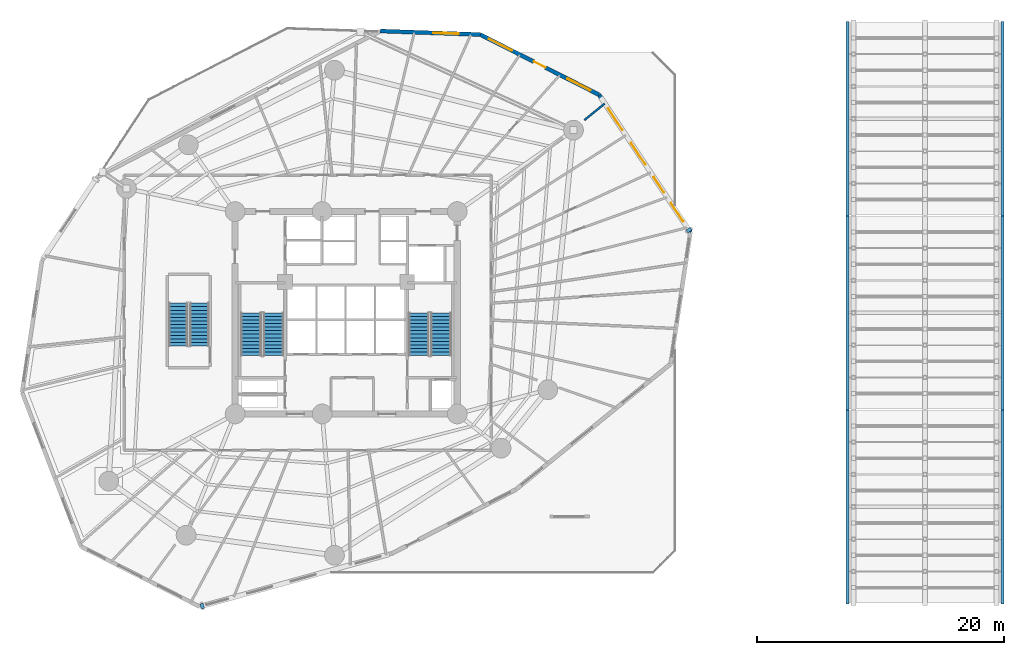
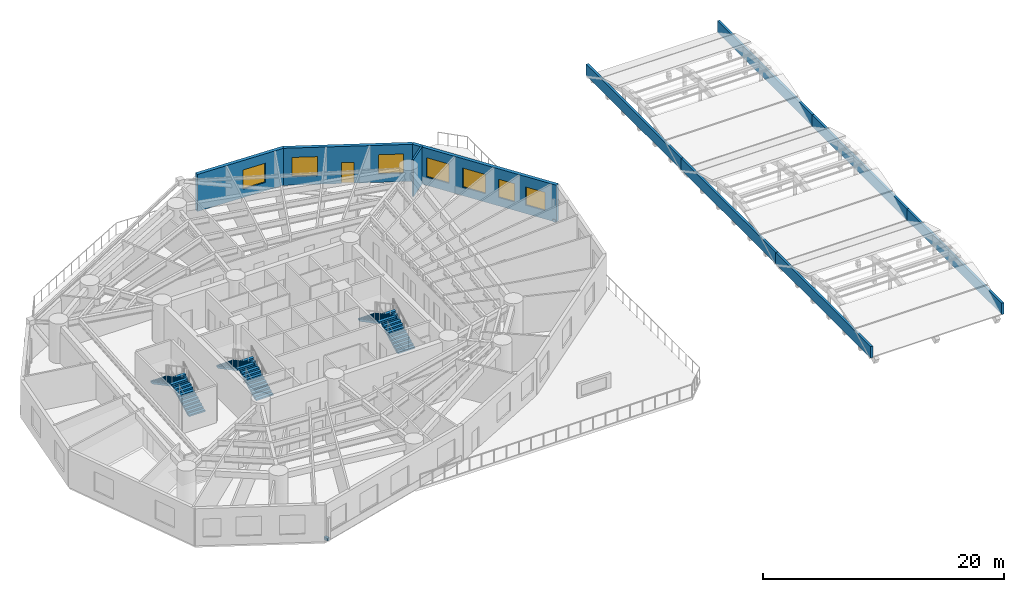
# One storey, part 11 of 16: 10 walls, 7 windows, 6 stair flights, 2 discrete accessories, 1 door, 8 openings, 3 elements without a shape of their own.
"""IFC4 building model written with IfcOpenShell, lengths in metres."""

from ifc_helpers import new_model, si_unit, direction, frame, frame_2d, origin, origin_with_axes, origin_2d, place, context, subcontext, project, spatial, polyline, rectangle, outline, extrude, source, transform, mapped, material, layer, layer_set, type_object, element, fill, aggregate, save


model = new_model("IFC4")

# Units and contexts
model_context = context("Model", 3, precision=1e-05, world=origin(), true_north=direction((0.0, 1.0)))
body_context = subcontext(model_context, "Body", "Model", "MODEL_VIEW")
ifc_project = project(units=[si_unit("LENGTHUNIT", "METRE"), si_unit("AREAUNIT", "SQUARE_METRE"), si_unit("VOLUMEUNIT", "CUBIC_METRE"), si_unit("PLANEANGLEUNIT", "RADIAN"), si_unit("MASSUNIT", "GRAM", prefix="KILO")], contexts=[model_context])

# Site, building, storey
site_placement = place(None, origin())
site = spatial("IfcSite", under=ifc_project, at=site_placement, CompositionType="ELEMENT")
building_placement = place(site_placement, origin())
building = spatial("IfcBuilding", under=site, at=building_placement, Name="Karkom Vertical University and Central Library", CompositionType="ELEMENT")
storey_placement = place(building_placement, frame((0.0, 0.0, 22.5)))
storey = spatial("IfcBuildingStorey", under=building, at=storey_placement, Name="L05", CompositionType="ELEMENT", Elevation=22.5)

# Wall, openings, windows
ifc_material_1 = material(Name="Brick-faced precast concrete C45/55", Category="masonry")
ifc_layer_1 = layer(ifc_material_1, 0.320068359375)
ifc_layer_set_1 = layer_set([ifc_layer_1], Name="Brick-faced precast concrete C45/55")
wall_type_1 = type_object("IfcWallType", Name="ENV-WL-BRK-320", PredefinedType="SOLIDWALL", material=ifc_layer_set_1)
wall_1_placement = place(storey_placement, frame((56.39990234375, 33.01025390625, 0.0), z_axis=(0.0, 0.0, 1.0), x_axis=(-0.553428968968, 0.832896377893, 0.0)))
wall_1 = element("IfcWall", 1, at=wall_1_placement, inside=storey, type_object=wall_type_1, Name="Level 05 Brick-Faced Precast Facade Wall 09", PredefinedType="SOLIDWALL", context=body_context, shape_type="SweptSolid", body=[
    extrude(rectangle(XDim=13.391357421875, YDim=0.320068359375, at=frame_2d((6.69580078125, 0.0))), origin(), (0.0, 0.0, 1.0), 3.75),
])
opening_1_placement = place(wall_1_placement, frame((1.064453125, 0.0, 0.85009765625)))
opening_1 = element("IfcOpeningElement", 2, at=opening_1_placement, cuts=wall_1, Name="Opening WN-04", PredefinedType="OPENING", context=body_context, shape_type="SweptSolid", body=[
    extrude(rectangle(XDim=1.800048828125, YDim=1.85009765625, at=frame_2d((0.89990234375, 0.925048828125))), frame((0.0, 0.169921875, 0.0), z_axis=(0.0, -1.0, 0.0), x_axis=(1.0, 0.0, 0.0)), (0.0, 0.0, 1.0), 0.340087890625),
])
opening_2_placement = place(wall_1_placement, frame((3.88427734375, 0.0, 0.85009765625)))
opening_2 = element("IfcOpeningElement", 3, at=opening_2_placement, cuts=wall_1, Name="Opening WN-05", PredefinedType="OPENING", context=body_context, shape_type="SweptSolid", body=[
    extrude(rectangle(XDim=1.5, YDim=1.85009765625, at=frame_2d((0.75, 0.925048828125))), frame((0.0, 0.169921875, 0.0), z_axis=(0.0, -1.0, 0.0), x_axis=(1.0, 0.0, 0.0)), (0.0, 0.0, 1.0), 0.340087890625),
])
opening_3_placement = place(wall_1_placement, frame((6.591064453125, 0.0, 0.85009765625)))
opening_3 = element("IfcOpeningElement", 4, at=opening_3_placement, cuts=wall_1, Name="Opening WN-03", PredefinedType="OPENING", context=body_context, shape_type="SweptSolid", body=[
    extrude(rectangle(XDim=2.10009765625, YDim=1.949951171875, at=frame_2d((1.050048828125, 0.97509765625))), frame((0.0, 0.169921875, 0.0), z_axis=(0.0, -1.0, 0.0), x_axis=(1.0, 0.0, 0.0)), (0.0, 0.0, 1.0), 0.340087890625),
])
opening_4_placement = place(wall_1_placement, frame((9.944580078125, 0.0, 0.85009765625)))
opening_4 = element("IfcOpeningElement", 5, at=opening_4_placement, cuts=wall_1, Name="Opening WN-03", PredefinedType="OPENING", context=body_context, shape_type="SweptSolid", body=[
    extrude(rectangle(XDim=2.10009765625, YDim=1.949951171875, at=frame_2d((1.050048828125, 0.97509765625))), frame((0.0, 0.169921875, 0.0), z_axis=(0.0, -1.0, 0.0), x_axis=(1.0, 0.0, 0.0)), (0.0, 0.0, 1.0), 0.340087890625),
])
ifc_material_2 = material(Name="Aluminium thermal-break frame with solar-control IGU", Category="aluminium")
window_type_1 = type_object("IfcWindowType", Name="ENV-WIN-WN-03", PartitioningType="SINGLE_PANEL", PredefinedType="WINDOW", material=ifc_material_2)
shared_shape_1 = source(origin_with_axes(), body_context, "Body", "SweptSolid", [
    extrude(rectangle(XDim=2.10009765625, YDim=1.949951171875, at=frame_2d((1.050048828125, 0.97509765625))), frame((0.0, 0.030029296875, 0.0), z_axis=(0.0, -1.0, 0.0), x_axis=(1.0, 0.0, 0.0)), (0.0, 0.0, 1.0), 0.06005859375),
])
window_1_placement = place(opening_3_placement, origin())
window_1 = element("IfcWindow", 6, at=window_1_placement, inside=storey, type_object=window_type_1, Name="Level 05 Punched Window 9.3", OverallHeight=1.949951171875, OverallWidth=2.10009765625, PartitioningType="SINGLE_PANEL", PredefinedType="WINDOW", context=body_context, shape_type="MappedRepresentation", body=[
    mapped(shared_shape_1, transform((0.0, 0.0, 0.0), scale=1.0)),
])
fill(opening_3, window_1)
window_2_placement = place(opening_4_placement, origin())
window_2 = element("IfcWindow", 7, at=window_2_placement, inside=storey, type_object=window_type_1, Name="Level 05 Punched Window 9.4", OverallHeight=1.949951171875, OverallWidth=2.10009765625, PartitioningType="SINGLE_PANEL", PredefinedType="WINDOW", context=body_context, shape_type="MappedRepresentation", body=[
    mapped(shared_shape_1, transform((0.0, 0.0, 0.0), scale=1.0)),
])
fill(opening_4, window_2)
window_type_2 = type_object("IfcWindowType", Name="ENV-WIN-WN-05", PartitioningType="SINGLE_PANEL", PredefinedType="WINDOW", material=ifc_material_2)
shared_shape_2 = source(origin_with_axes(), body_context, "Body", "SweptSolid", [
    extrude(rectangle(XDim=1.5, YDim=1.85009765625, at=frame_2d((0.75, 0.925048828125))), frame((0.0, 0.030029296875, 0.0), z_axis=(0.0, -1.0, 0.0), x_axis=(1.0, 0.0, 0.0)), (0.0, 0.0, 1.0), 0.06005859375),
])
window_3_placement = place(opening_2_placement, origin())
window_3 = element("IfcWindow", 8, at=window_3_placement, inside=storey, type_object=window_type_2, Name="Level 05 Punched Window 9.2", OverallHeight=1.85009765625, OverallWidth=1.5, PartitioningType="SINGLE_PANEL", PredefinedType="WINDOW", context=body_context, shape_type="MappedRepresentation", body=[
    mapped(shared_shape_2, transform((0.0, 0.0, 0.0), scale=1.0)),
])
fill(opening_2, window_3)
window_type_3 = type_object("IfcWindowType", Name="ENV-WIN-WN-04", PartitioningType="SINGLE_PANEL", PredefinedType="WINDOW", material=ifc_material_2)
shared_shape_3 = source(origin_with_axes(), body_context, "Body", "SweptSolid", [
    extrude(rectangle(XDim=1.800048828125, YDim=1.85009765625, at=frame_2d((0.89990234375, 0.925048828125))), frame((0.0, 0.030029296875, 0.0), z_axis=(0.0, -1.0, 0.0), x_axis=(1.0, 0.0, 0.0)), (0.0, 0.0, 1.0), 0.06005859375),
])
window_4_placement = place(opening_1_placement, origin())
window_4 = element("IfcWindow", 9, at=window_4_placement, inside=storey, type_object=window_type_3, Name="Level 05 Punched Window 9.1", OverallHeight=1.85009765625, OverallWidth=1.800048828125, PartitioningType="SINGLE_PANEL", PredefinedType="WINDOW", context=body_context, shape_type="MappedRepresentation", body=[
    mapped(shared_shape_3, transform((0.0, 0.0, 0.0), scale=1.0)),
])
fill(opening_1, window_4)

# Wall, openings, door, windows
wall_2_placement = place(storey_placement, frame((48.98876953125, 44.163818359375, 0.0), z_axis=(0.0, 0.0, 1.0), x_axis=(-0.891951959997, 0.452130181539, 0.0)))
wall_2 = element("IfcWall", 10, at=wall_2_placement, inside=storey, type_object=wall_type_1, Name="Level 05 Brick-Faced Precast Facade Wall 10", PredefinedType="SOLIDWALL", context=body_context, shape_type="SweptSolid", body=[
    extrude(rectangle(XDim=10.790283203125, YDim=0.320068359375, at=frame_2d((5.39501953125, 0.0))), origin(), (0.0, 0.0, 1.0), 3.75),
])
opening_5_placement = place(wall_2_placement, frame((0.765625, 0.0, 0.85009765625)))
opening_5 = element("IfcOpeningElement", 11, at=opening_5_placement, cuts=wall_2, Name="Opening WN-03", PredefinedType="OPENING", context=body_context, shape_type="SweptSolid", body=[
    extrude(rectangle(XDim=2.10009765625, YDim=1.949951171875, at=frame_2d((1.050048828125, 0.97509765625))), frame((0.0, 0.169921875, 0.0), z_axis=(0.0, -1.0, 0.0), x_axis=(1.0, 0.0, 0.0)), (0.0, 0.0, 1.0), 0.340087890625),
])
opening_6_placement = place(wall_2_placement, frame((7.91552734375, 0.0, 0.85009765625)))
opening_6 = element("IfcOpeningElement", 12, at=opening_6_placement, cuts=wall_2, Name="Opening WN-03", PredefinedType="OPENING", context=body_context, shape_type="SweptSolid", body=[
    extrude(rectangle(XDim=2.10009765625, YDim=1.949951171875, at=frame_2d((1.050048828125, 0.97509765625))), frame((0.0, 0.169921875, 0.0), z_axis=(0.0, -1.0, 0.0), x_axis=(1.0, 0.0, 0.0)), (0.0, 0.0, 1.0), 0.340087890625),
])
opening_7_placement = place(wall_2_placement, frame((4.8701171875, 0.0, 0.0)))
opening_7 = element("IfcOpeningElement", 13, at=opening_7_placement, cuts=wall_2, Name="Opening TD-1", PredefinedType="OPENING", context=body_context, shape_type="SweptSolid", body=[
    extrude(rectangle(XDim=1.050048828125, YDim=2.1201171875, at=frame_2d((0.52490234375, 1.06005859375))), frame((0.0, 0.169921875, 0.0), z_axis=(0.0, -1.0, 0.0), x_axis=(1.0, 0.0, 0.0)), (0.0, 0.0, 1.0), 0.340087890625),
])
ifc_material_3 = material(Name="Thermally broken glazed aluminium terrace door", Category="aluminium")
door_type = type_object("IfcDoorType", Name="ENV-DR-TERR", OperationType="NOTDEFINED", PredefinedType="DOOR", material=ifc_material_3)
shared_shape_4 = source(origin_with_axes(), body_context, "Body", "SweptSolid", [
    extrude(rectangle(XDim=1.050048828125, YDim=2.1201171875, at=frame_2d((0.52490234375, 1.06005859375))), frame((0.0, 0.02490234375, 0.0), z_axis=(0.0, -1.0, 0.0), x_axis=(1.0, 0.0, 0.0)), (0.0, 0.0, 1.0), 0.050048828125),
])
door_placement = place(opening_7_placement, origin())
door = element("IfcDoor", 14, at=door_placement, inside=storey, type_object=door_type, Name="Level 05 Outdoor Terrace Access Door", OperationType="SINGLE_SWING_RIGHT", OverallHeight=2.1201171875, OverallWidth=1.050048828125, PredefinedType="DOOR", context=body_context, shape_type="MappedRepresentation", body=[
    mapped(shared_shape_4, transform((0.0, 0.0, 0.0), scale=1.0)),
])
fill(opening_7, door)
window_5_placement = place(opening_5_placement, origin())
window_5 = element("IfcWindow", 15, at=window_5_placement, inside=storey, type_object=window_type_1, Name="Level 05 Punched Window 10.1", OverallHeight=1.949951171875, OverallWidth=2.10009765625, PartitioningType="SINGLE_PANEL", PredefinedType="WINDOW", context=body_context, shape_type="MappedRepresentation", body=[
    mapped(shared_shape_1, transform((0.0, 0.0, 0.0), scale=1.0)),
])
fill(opening_5, window_5)
window_6_placement = place(opening_6_placement, origin())
window_6 = element("IfcWindow", 16, at=window_6_placement, inside=storey, type_object=window_type_1, Name="Level 05 Punched Window 10.3", OverallHeight=1.949951171875, OverallWidth=2.10009765625, PartitioningType="SINGLE_PANEL", PredefinedType="WINDOW", context=body_context, shape_type="MappedRepresentation", body=[
    mapped(shared_shape_1, transform((0.0, 0.0, 0.0), scale=1.0)),
])
fill(opening_6, window_6)

# Wall, opening, window
wall_3_placement = place(storey_placement, frame((39.3642578125, 49.04248046875, 0.0), z_axis=(0.0, 0.0, 1.0), x_axis=(-0.999384031187, 0.035093563631, 0.0)))
wall_3 = element("IfcWall", 17, at=wall_3_placement, inside=storey, type_object=wall_type_1, Name="Level 05 Brick-Faced Precast Facade Wall 11", PredefinedType="SOLIDWALL", context=body_context, shape_type="SweptSolid", body=[
    extrude(rectangle(XDim=8.111572265625, YDim=0.320068359375, at=frame_2d((4.0556640625, 0.0))), origin(), (0.0, 0.0, 1.0), 3.75),
])
opening_8_placement = place(wall_3_placement, frame((1.728515625, 0.0, 0.85009765625)))
opening_8 = element("IfcOpeningElement", 18, at=opening_8_placement, cuts=wall_3, Name="Opening WN-03", PredefinedType="OPENING", context=body_context, shape_type="SweptSolid", body=[
    extrude(rectangle(XDim=2.10009765625, YDim=1.949951171875, at=frame_2d((1.050048828125, 0.97509765625))), frame((0.0, 0.169921875, 0.0), z_axis=(0.0, -1.0, 0.0), x_axis=(1.0, 0.0, 0.0)), (0.0, 0.0, 1.0), 0.340087890625),
])
window_7_placement = place(opening_8_placement, origin())
window_7 = element("IfcWindow", 19, at=window_7_placement, inside=storey, type_object=window_type_1, Name="Level 05 Punched Window 11.1", OverallHeight=1.949951171875, OverallWidth=2.10009765625, PartitioningType="SINGLE_PANEL", PredefinedType="WINDOW", context=body_context, shape_type="MappedRepresentation", body=[
    mapped(shared_shape_1, transform((0.0, 0.0, 0.0), scale=1.0)),
])
fill(opening_8, window_7)

# Walls
ifc_material_4 = material(Name="Precast concrete C45/55", Category="concrete")
ifc_layer_2 = layer(ifc_material_4, 0.219970703125)
ifc_layer_set_2 = layer_set([ifc_layer_2], Name="Precast concrete C45/55")
wall_type_2 = type_object("IfcWallType", Name="ENV-WL-PAR-220", PredefinedType="PARAPET", material=ifc_layer_set_2)
for number, where, z_axis, x_axis, name in (
    (20, (69.1201171875, 2.919921875, 0.0), (0.0, 0.0, 1.0), (0.0, 1.0, 0.0), "Level 05 Library Vault 1 Gable Parapet W"),
    (21, (81.679931640625, 2.919921875, 0.0), (0.0, 0.0, 1.0), (0.0, 1.0, 0.0), "Level 05 Library Vault 1 Gable Parapet E"),
):
    element("IfcWall", number, at=place(storey_placement, frame(where, z_axis=z_axis, x_axis=x_axis)), inside=storey, type_object=wall_type_2, Name=name, PredefinedType="PARAPET", context=body_context, shape_type="SweptSolid", body=[
        extrude(rectangle(XDim=15.719970703125, YDim=0.219970703125, at=frame_2d((7.85986328125, 0.0))), origin(), (0.0, 0.0, 1.0), 1.14990234375),
    ])
for number, where, z_axis, x_axis, name in (
    (22, (69.1201171875, 18.639892578125, 0.0), (0.0, 0.0, 1.0), (0.0, 1.0, 0.0), "Level 05 Library Vault 2 Gable Parapet W"),
    (23, (81.679931640625, 18.639892578125, 0.0), (0.0, 0.0, 1.0), (0.0, 1.0, 0.0), "Level 05 Library Vault 2 Gable Parapet E"),
):
    element("IfcWall", number, at=place(storey_placement, frame(where, z_axis=z_axis, x_axis=x_axis)), inside=storey, type_object=wall_type_2, Name=name, PredefinedType="PARAPET", context=body_context, shape_type="SweptSolid", body=[
        extrude(rectangle(XDim=15.72021484375, YDim=0.219970703125, at=frame_2d((7.860107421875, 0.0))), origin(), (0.0, 0.0, 1.0), 1.14990234375),
    ])
for number, where, z_axis, x_axis, name in (
    (24, (69.1201171875, 34.360107421875, 0.0), (0.0, 0.0, 1.0), (0.0, 1.0, 0.0), "Level 05 Library Vault 3 Gable Parapet W"),
    (25, (81.679931640625, 34.360107421875, 0.0), (0.0, 0.0, 1.0), (0.0, 1.0, 0.0), "Level 05 Library Vault 3 Gable Parapet E"),
):
    element("IfcWall", number, at=place(storey_placement, frame(where, z_axis=z_axis, x_axis=x_axis)), inside=storey, type_object=wall_type_2, Name=name, PredefinedType="PARAPET", context=body_context, shape_type="SweptSolid", body=[
        extrude(rectangle(XDim=15.719970703125, YDim=0.219970703125, at=frame_2d((7.85986328125, 0.0))), origin(), (0.0, 0.0, 1.0), 1.14990234375),
    ])
ifc_material_5 = material(Name="Insulated metal-stud drywall 160mm", Category="gypsum")
ifc_layer_3 = layer(ifc_material_5, 0.159912109375)
ifc_layer_set_3 = layer_set([ifc_layer_3], Name="Insulated metal-stud drywall 160mm")
wall_type_3 = type_object("IfcWallType", Name="INT-WL-COR-160", PredefinedType="PARTITIONING", material=ifc_layer_set_3)
wall_4_placement = place(storey_placement, frame((47.800048828125, 42.110107421875, 0.0), z_axis=(0.0, 0.0, 1.0), x_axis=(0.775937110076, 0.630810273542, 0.0)))
element("IfcWall", 26, at=wall_4_placement, inside=storey, type_object=wall_type_3, Name="Level 05 Interior Partition Wall Level 05-PW-026", PredefinedType="PARTITIONING", context=body_context, shape_type="SweptSolid", body=[
    extrude(rectangle(XDim=2.111328125, YDim=0.159912109375, at=frame_2d((1.0556640625, 0.0))), origin(), (0.0, 0.0, 1.0), 3.75),
])

# Stair, stair flights
ifc_material_6 = material(Name="Concrete C45/55", Category="concrete")
stair_type_1 = type_object("IfcStairType", Name="INT-STR-ST-MAIN", PredefinedType="HALF_TURN_STAIR", material=ifc_material_6)
stair_1_placement = place(storey_placement, origin())
stair_1 = element("IfcStair", 27, at=stair_1_placement, inside=storey, type_object=stair_type_1, Name="Level 05 Tower Protected Exit Stair ST-1", PredefinedType="HALF_TURN_STAIR")
stair_flight_type_1 = type_object("IfcStairFlightType", Name="INT-SFL-ST-MAIN", PredefinedType="STRAIGHT", material=ifc_material_6)
stair_flight_1_placement = place(storey_placement, frame((22.614990234375, 23.02001953125, 0.0), z_axis=(0.0, 0.0, 1.0), x_axis=(0.0, 1.0, 0.0)))
stair_flight_1 = element("IfcStairFlight", 28, at=stair_flight_1_placement, type_object=stair_flight_type_1, Name="ST-1 flight 1", NumberOfRisers=13, NumberOfTreads=12, PredefinedType="STRAIGHT", RiserHeight=0.153846154, TreadLength=0.29, context=body_context, shape_type="SweptSolid", body=[
    extrude(outline(polyline([(0.0, 0.0), (0.0, 0.15380859375), (0.2900390625, 0.15380859375), (0.2900390625, 0.3076171875), (0.580078125, 0.3076171875), (0.580078125, 0.46142578125), (0.8701171875, 0.46142578125), (0.8701171875, 0.615478515625), (1.159912109375, 0.615478515625), (1.159912109375, 0.769287109375), (1.449951171875, 0.769287109375), (1.449951171875, 0.923095703125), (1.739990234375, 0.923095703125), (1.739990234375, 1.076904296875), (2.030029296875, 1.076904296875), (2.030029296875, 1.230712890625), (2.320068359375, 1.230712890625), (2.320068359375, 1.384521484375), (2.610107421875, 1.384521484375), (2.610107421875, 1.53857421875), (2.89990234375, 1.53857421875), (2.89990234375, 1.6923828125), (3.18994140625, 1.6923828125), (3.18994140625, 1.84619140625), (3.47998046875, 1.84619140625), (3.47998046875, 2.0), (3.47998046875, 1.676513671875), (0.31982421875, 0.0), (0.0, 0.0)])), frame((0.0, 0.824951171875, 0.0), z_axis=(0.0, -1.0, 0.0), x_axis=(1.0, 0.0, 0.0)), (0.0, 0.0, 1.0), 1.64990234375),
])
stair_flight_2_placement = place(storey_placement, frame((20.804931640625, 26.5, 2.0), z_axis=(0.0, 0.0, 1.0), x_axis=(0.0, -1.0, 0.0)))
stair_flight_2 = element("IfcStairFlight", 29, at=stair_flight_2_placement, type_object=stair_flight_type_1, Name="ST-1 flight 2", NumberOfRisers=13, NumberOfTreads=12, PredefinedType="STRAIGHT", RiserHeight=0.153846154, TreadLength=0.29, context=body_context, shape_type="SweptSolid", body=[
    extrude(outline(polyline([(0.0, 0.0), (0.0, 0.15380859375), (0.2900390625, 0.15380859375), (0.2900390625, 0.3076171875), (0.580078125, 0.3076171875), (0.580078125, 0.46142578125), (0.8701171875, 0.46142578125), (0.8701171875, 0.615478515625), (1.159912109375, 0.615478515625), (1.159912109375, 0.769287109375), (1.449951171875, 0.769287109375), (1.449951171875, 0.923095703125), (1.739990234375, 0.923095703125), (1.739990234375, 1.076904296875), (2.030029296875, 1.076904296875), (2.030029296875, 1.230712890625), (2.320068359375, 1.230712890625), (2.320068359375, 1.384521484375), (2.610107421875, 1.384521484375), (2.610107421875, 1.53857421875), (2.89990234375, 1.53857421875), (2.89990234375, 1.6923828125), (3.18994140625, 1.6923828125), (3.18994140625, 1.84619140625), (3.47998046875, 1.84619140625), (3.47998046875, 2.0), (3.47998046875, 1.676513671875), (0.31982421875, 0.0), (0.0, 0.0)])), frame((0.0, 0.824951171875, 0.0), z_axis=(0.0, -1.0, 0.0), x_axis=(1.0, 0.0, 0.0)), (0.0, 0.0, 1.0), 1.64990234375),
])
aggregate(stair_1, [stair_flight_1, stair_flight_2])

stair_2_placement = place(storey_placement, origin())
stair_2 = element("IfcStair", 30, at=stair_2_placement, inside=storey, type_object=stair_type_1, Name="Level 05 Tower Protected Exit Stair ST-2", PredefinedType="HALF_TURN_STAIR")
stair_flight_3_placement = place(storey_placement, frame((36.195068359375, 23.02001953125, 0.0), z_axis=(0.0, 0.0, 1.0), x_axis=(0.0, 1.0, 0.0)))
stair_flight_3 = element("IfcStairFlight", 31, at=stair_flight_3_placement, type_object=stair_flight_type_1, Name="ST-2 flight 1", NumberOfRisers=13, NumberOfTreads=12, PredefinedType="STRAIGHT", RiserHeight=0.153846154, TreadLength=0.29, context=body_context, shape_type="SweptSolid", body=[
    extrude(outline(polyline([(0.0, 0.0), (0.0, 0.15380859375), (0.2900390625, 0.15380859375), (0.2900390625, 0.3076171875), (0.580078125, 0.3076171875), (0.580078125, 0.46142578125), (0.8701171875, 0.46142578125), (0.8701171875, 0.615478515625), (1.159912109375, 0.615478515625), (1.159912109375, 0.769287109375), (1.449951171875, 0.769287109375), (1.449951171875, 0.923095703125), (1.739990234375, 0.923095703125), (1.739990234375, 1.076904296875), (2.030029296875, 1.076904296875), (2.030029296875, 1.230712890625), (2.320068359375, 1.230712890625), (2.320068359375, 1.384521484375), (2.610107421875, 1.384521484375), (2.610107421875, 1.53857421875), (2.89990234375, 1.53857421875), (2.89990234375, 1.6923828125), (3.18994140625, 1.6923828125), (3.18994140625, 1.84619140625), (3.47998046875, 1.84619140625), (3.47998046875, 2.0), (3.47998046875, 1.676513671875), (0.31982421875, 0.0), (0.0, 0.0)])), frame((0.0, 0.824951171875, 0.0), z_axis=(0.0, -1.0, 0.0), x_axis=(1.0, 0.0, 0.0)), (0.0, 0.0, 1.0), 1.64990234375),
])
stair_flight_4_placement = place(storey_placement, frame((34.385009765625, 26.5, 2.0), z_axis=(0.0, 0.0, 1.0), x_axis=(0.0, -1.0, 0.0)))
stair_flight_4 = element("IfcStairFlight", 32, at=stair_flight_4_placement, type_object=stair_flight_type_1, Name="ST-2 flight 2", NumberOfRisers=13, NumberOfTreads=12, PredefinedType="STRAIGHT", RiserHeight=0.153846154, TreadLength=0.29, context=body_context, shape_type="SweptSolid", body=[
    extrude(outline(polyline([(0.0, 0.0), (0.0, 0.15380859375), (0.2900390625, 0.15380859375), (0.2900390625, 0.3076171875), (0.580078125, 0.3076171875), (0.580078125, 0.46142578125), (0.8701171875, 0.46142578125), (0.8701171875, 0.615478515625), (1.159912109375, 0.615478515625), (1.159912109375, 0.769287109375), (1.449951171875, 0.769287109375), (1.449951171875, 0.923095703125), (1.739990234375, 0.923095703125), (1.739990234375, 1.076904296875), (2.030029296875, 1.076904296875), (2.030029296875, 1.230712890625), (2.320068359375, 1.230712890625), (2.320068359375, 1.384521484375), (2.610107421875, 1.384521484375), (2.610107421875, 1.53857421875), (2.89990234375, 1.53857421875), (2.89990234375, 1.6923828125), (3.18994140625, 1.6923828125), (3.18994140625, 1.84619140625), (3.47998046875, 1.84619140625), (3.47998046875, 2.0), (3.47998046875, 1.676513671875), (0.31982421875, 0.0), (0.0, 0.0)])), frame((0.0, 0.824951171875, 0.0), z_axis=(0.0, -1.0, 0.0), x_axis=(1.0, 0.0, 0.0)), (0.0, 0.0, 1.0), 1.64990234375),
])
aggregate(stair_2, [stair_flight_3, stair_flight_4])

stair_type_2 = type_object("IfcStairType", Name="INT-STR-ST-SEC", PredefinedType="HALF_TURN_STAIR", material=ifc_material_6)
stair_3_placement = place(storey_placement, origin())
stair_3 = element("IfcStair", 33, at=stair_3_placement, inside=storey, type_object=stair_type_2, Name="Level 05 Academic Zone Protected Exit Stair ST-3", PredefinedType="HALF_TURN_STAIR")
stair_flight_type_2 = type_object("IfcStairFlightType", Name="INT-SFL-ST-SEC", PredefinedType="STRAIGHT", material=ifc_material_6)
stair_flight_5_placement = place(storey_placement, frame((16.60498046875, 23.800048828125, 0.0), z_axis=(0.0, 0.0, 1.0), x_axis=(0.0, 1.0, 0.0)))
stair_flight_5 = element("IfcStairFlight", 34, at=stair_flight_5_placement, type_object=stair_flight_type_2, Name="ST-3 flight 1", NumberOfRisers=13, NumberOfTreads=12, PredefinedType="STRAIGHT", RiserHeight=0.153846154, TreadLength=0.29, context=body_context, shape_type="SweptSolid", body=[
    extrude(outline(polyline([(0.0, 0.0), (0.0, 0.15380859375), (0.2900390625, 0.15380859375), (0.2900390625, 0.3076171875), (0.580078125, 0.3076171875), (0.580078125, 0.46142578125), (0.8701171875, 0.46142578125), (0.8701171875, 0.615478515625), (1.159912109375, 0.615478515625), (1.159912109375, 0.769287109375), (1.449951171875, 0.769287109375), (1.449951171875, 0.923095703125), (1.739990234375, 0.923095703125), (1.739990234375, 1.076904296875), (2.030029296875, 1.076904296875), (2.030029296875, 1.230712890625), (2.320068359375, 1.230712890625), (2.320068359375, 1.384521484375), (2.610107421875, 1.384521484375), (2.610107421875, 1.53857421875), (2.89990234375, 1.53857421875), (2.89990234375, 1.6923828125), (3.18994140625, 1.6923828125), (3.18994140625, 1.84619140625), (3.47998046875, 1.84619140625), (3.47998046875, 2.0), (3.47998046875, 1.676513671875), (0.31982421875, 0.0), (0.0, 0.0)])), frame((0.0, 0.77490234375, 0.0), z_axis=(0.0, -1.0, 0.0), x_axis=(1.0, 0.0, 0.0)), (0.0, 0.0, 1.0), 1.550048828125),
])
stair_flight_6_placement = place(storey_placement, frame((14.89501953125, 27.280029296875, 2.0), z_axis=(0.0, 0.0, 1.0), x_axis=(0.0, -1.0, 0.0)))
stair_flight_6 = element("IfcStairFlight", 35, at=stair_flight_6_placement, type_object=stair_flight_type_2, Name="ST-3 flight 2", NumberOfRisers=13, NumberOfTreads=12, PredefinedType="STRAIGHT", RiserHeight=0.153846154, TreadLength=0.29, context=body_context, shape_type="SweptSolid", body=[
    extrude(outline(polyline([(0.0, 0.0), (0.0, 0.15380859375), (0.2900390625, 0.15380859375), (0.2900390625, 0.3076171875), (0.580078125, 0.3076171875), (0.580078125, 0.46142578125), (0.8701171875, 0.46142578125), (0.8701171875, 0.615478515625), (1.159912109375, 0.615478515625), (1.159912109375, 0.769287109375), (1.449951171875, 0.769287109375), (1.449951171875, 0.923095703125), (1.739990234375, 0.923095703125), (1.739990234375, 1.076904296875), (2.030029296875, 1.076904296875), (2.030029296875, 1.230712890625), (2.320068359375, 1.230712890625), (2.320068359375, 1.384521484375), (2.610107421875, 1.384521484375), (2.610107421875, 1.53857421875), (2.89990234375, 1.53857421875), (2.89990234375, 1.6923828125), (3.18994140625, 1.6923828125), (3.18994140625, 1.84619140625), (3.47998046875, 1.84619140625), (3.47998046875, 2.0), (3.47998046875, 1.676513671875), (0.31982421875, 0.0), (0.0, 0.0)])), frame((0.0, 0.77490234375, 0.0), z_axis=(0.0, -1.0, 0.0), x_axis=(1.0, 0.0, 0.0)), (0.0, 0.0, 1.0), 1.550048828125),
])
aggregate(stair_3, [stair_flight_5, stair_flight_6])

# Discrete accessories
ifc_material_7 = material(Name="Austenitic stainless steel 316", Category="steel")
discrete_accessory_type = type_object("IfcDiscreteAccessoryType", Name="INT-ACC-BRACKET", PredefinedType="BRACKET", material=ifc_material_7)
shared_shape_5 = source(origin_with_axes(), body_context, "Body", "SweptSolid", [
    extrude(rectangle(XDim=0.260009765625, YDim=0.419921875, at=origin_2d()), origin(), (0.0, 0.0, 1.0), 0.260009765625),
])
for number, where, z_axis, x_axis, name in (
    (36, (16.834228515625, 2.73486328125, 0.0), (0.0, 0.0, 1.0), (0.963583796636, 0.267406557249, 0.0), "Level 05 Sun-Breaker Stainless Corbel Bracket 02"),
    (37, (56.2783203125, 33.193603515625, 0.0), (0.0, 0.0, 1.0), (-0.553391549243, 0.83292124071, 0.0), "Level 05 Sun-Breaker Stainless Corbel Bracket 03"),
):
    element("IfcDiscreteAccessory", number, at=place(storey_placement, frame(where, z_axis=z_axis, x_axis=x_axis)), inside=storey, type_object=discrete_accessory_type, Name=name, PredefinedType="BRACKET", context=body_context, shape_type="MappedRepresentation", body=[
        mapped(shared_shape_5, transform((0.0, 0.0, 0.0), scale=1.0)),
    ])

save(model, "model.ifc")
